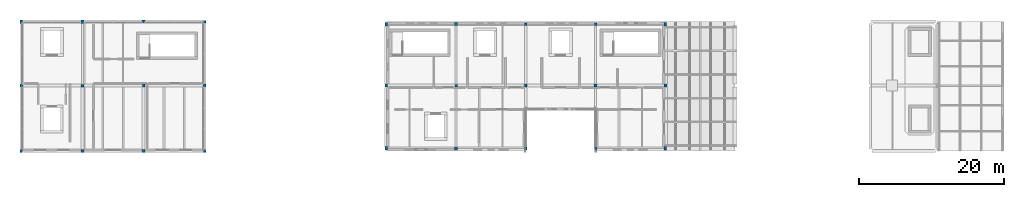
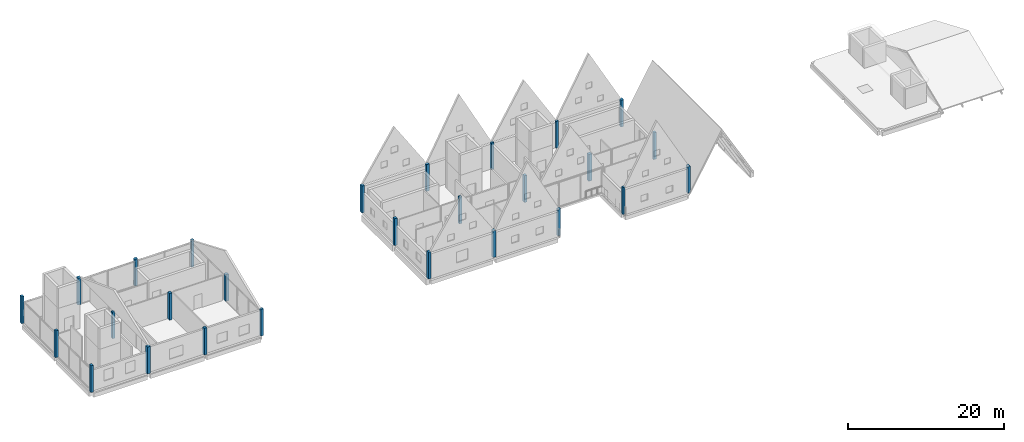
# One storey, part 1 of 13: 27 columns.
"""IFC4 building model written with IfcOpenShell, lengths in metres."""

from ifc_helpers import new_model, si_unit, direction, frame, origin, origin_2d, place, context, subcontext, project, spatial, rectangle, extrude, material, material_profile, profile_set, type_object, element, save


model = new_model("IFC4")

# Units and contexts
model_context = context("Model", 3, precision=1e-05, world=origin(), true_north=direction((0.0, 1.0)))
body_context = subcontext(model_context, "Body", "Model", "MODEL_VIEW")
ifc_project = project(units=[si_unit("LENGTHUNIT", "METRE"), si_unit("AREAUNIT", "SQUARE_METRE"), si_unit("VOLUMEUNIT", "CUBIC_METRE"), si_unit("PLANEANGLEUNIT", "RADIAN"), si_unit("MASSUNIT", "GRAM", prefix="KILO")], contexts=[model_context])

# Site, building, storey
site_placement = place(None, origin())
site = spatial("IfcSite", under=ifc_project, at=site_placement, CompositionType="ELEMENT")
building_placement = place(site_placement, origin())
building = spatial("IfcBuilding", under=site, at=building_placement, Name="Birchvale Park Specialist Clinic", CompositionType="ELEMENT")
storey_placement = place(building_placement, frame((0.0, 0.0, 22.199951171875)))
storey = spatial("IfcBuildingStorey", under=building, at=storey_placement, Name="L05", CompositionType="ELEMENT", Elevation=22.199951171875)

# Columns
ifc_material = material(Name="Concrete C40/50", Category="concrete")
ifc_material_profile_1 = material_profile(ifc_material, rectangle(XDim=0.429931640625, YDim=0.429931640625, at=origin_2d()), Name="RC-430x430")
ifc_profile_set_1 = profile_set([ifc_material_profile_1], Name="Concrete C40/50")
column_type_1 = type_object("IfcColumnType", Name="COL-EXT-C06", PredefinedType="COLUMN", material=ifc_profile_set_1)
for number, where, z_axis, x_axis, name in (
    (1, (71.0, 17.14990234375, 0.0), (0.0, 0.0, 1.0), (1.0, 0.0, 0.0), "V4 L05 column 4"),
    (2, (71.0, 34.25, 0.0), (0.0, 0.0, 1.0), (1.0, 0.0, 0.0), "V4 L05 column 6"),
):
    element("IfcColumn", number, at=place(storey_placement, frame(where, z_axis=z_axis, x_axis=x_axis)), inside=storey, type_object=column_type_1, Name=name, PredefinedType="COLUMN", context=body_context, shape_type="SweptSolid", body=[
        extrude(rectangle(XDim=0.429931640625, YDim=0.429931640625, at=origin_2d()), origin(), (0.0, 0.0, 1.0), 4.199951171875),
    ])
ifc_material_profile_2 = material_profile(ifc_material, rectangle(XDim=0.3798828125, YDim=0.3798828125, at=origin_2d()), Name="RC-380x380")
ifc_profile_set_2 = profile_set([ifc_material_profile_2], Name="Concrete C40/50")
column_type_2 = type_object("IfcColumnType", Name="COL-EXT-C07", PredefinedType="COLUMN", material=ifc_profile_set_2)
for number, where, z_axis, x_axis, name in (
    (3, (80.60009765625, 17.14990234375, 0.0), (0.0, 0.0, 1.0), (1.0, 0.0, 0.0), "V4 L05 column 7"),
    (4, (80.60009765625, 34.25, 0.0), (0.0, 0.0, 1.0), (1.0, 0.0, 0.0), "V4 L05 column 9"),
):
    element("IfcColumn", number, at=place(storey_placement, frame(where, z_axis=z_axis, x_axis=x_axis)), inside=storey, type_object=column_type_2, Name=name, PredefinedType="COLUMN", context=body_context, shape_type="SweptSolid", body=[
        extrude(rectangle(XDim=0.3798828125, YDim=0.3798828125, at=origin_2d()), origin(), (0.0, 0.0, 1.0), 4.199951171875),
    ])
ifc_material_profile_3 = material_profile(ifc_material, rectangle(XDim=0.330078125, YDim=0.330078125, at=origin_2d()), Name="RC-330x330")
ifc_profile_set_3 = profile_set([ifc_material_profile_3], Name="Concrete C40/50")
column_type_3 = type_object("IfcColumnType", Name="COL-EXT-C08", PredefinedType="COLUMN", material=ifc_profile_set_3)
for number, where, z_axis, x_axis, name in (
    (5, (90.199951171875, 17.14990234375, 0.0), (0.0, 0.0, 1.0), (1.0, 0.0, 0.0), "V4 L05 column 10"),
    (6, (90.199951171875, 34.25, 0.0), (0.0, 0.0, 1.0), (1.0, 0.0, 0.0), "V4 L05 column 12"),
):
    element("IfcColumn", number, at=place(storey_placement, frame(where, z_axis=z_axis, x_axis=x_axis)), inside=storey, type_object=column_type_3, Name=name, PredefinedType="COLUMN", context=body_context, shape_type="SweptSolid", body=[
        extrude(rectangle(XDim=0.330078125, YDim=0.330078125, at=origin_2d()), origin(), (0.0, 0.0, 1.0), 4.199951171875),
    ])
ifc_material_profile_4 = material_profile(ifc_material, rectangle(XDim=0.3701171875, YDim=0.47998046875, at=origin_2d()), Name="RC-370x480")
ifc_profile_set_4 = profile_set([ifc_material_profile_4], Name="Concrete C40/50")
column_type_4 = type_object("IfcColumnType", Name="COL-EXT-C12", PredefinedType="COLUMN", material=ifc_profile_set_4)
for number, where, z_axis, x_axis, name in (
    (7, (61.39990234375, 17.14990234375, 0.0), (0.0, 0.0, 1.0), (1.0, 0.0, 0.0), "V4 L05 column 1"),
    (8, (61.39990234375, 34.25, 0.0), (0.0, 0.0, 1.0), (1.0, 0.0, 0.0), "V4 L05 column 3"),
    (9, (99.800048828125, 17.14990234375, 0.0), (0.0, 0.0, 1.0), (1.0, 0.0, 0.0), "V4 L05 column 13"),
    (10, (99.800048828125, 34.25, 0.0), (0.0, 0.0, 1.0), (1.0, 0.0, 0.0), "V4 L05 column 15"),
):
    element("IfcColumn", number, at=place(storey_placement, frame(where, z_axis=z_axis, x_axis=x_axis)), inside=storey, type_object=column_type_4, Name=name, PredefinedType="COLUMN", context=body_context, shape_type="SweptSolid", body=[
        extrude(rectangle(XDim=0.3701171875, YDim=0.47998046875, at=origin_2d()), origin(), (0.0, 0.0, 1.0), 4.199951171875),
    ])
ifc_material_profile_5 = material_profile(ifc_material, rectangle(XDim=0.449951171875, YDim=0.449951171875, at=origin_2d()), Name="RC-450x450")
ifc_profile_set_5 = profile_set([ifc_material_profile_5], Name="Concrete C40/50")
column_type_5 = type_object("IfcColumnType", Name="COL-INT-C06", PredefinedType="COLUMN", material=ifc_profile_set_5)
for number, where, z_axis, x_axis, name in (
    (11, (19.60009765625, 16.800048828125, 0.0), (0.0, 0.0, 1.0), (1.0, 0.0, 0.0), "V2 L05 column 4"),
    (12, (19.60009765625, 34.60009765625, 0.0), (0.0, 0.0, 1.0), (1.0, 0.0, 0.0), "V2 L05 column 6"),
    (13, (36.39990234375, 25.800048828125, 0.0), (0.0, 0.0, 1.0), (1.0, 0.0, 0.0), "V2 L05 column 11"),
    (14, (90.199951171875, 25.800048828125, 0.0), (0.0, 0.0, 1.0), (1.0, 0.0, 0.0), "V4 L05 column 11"),
):
    element("IfcColumn", number, at=place(storey_placement, frame(where, z_axis=z_axis, x_axis=x_axis)), inside=storey, type_object=column_type_5, Name=name, PredefinedType="COLUMN", context=body_context, shape_type="SweptSolid", body=[
        extrude(rectangle(XDim=0.449951171875, YDim=0.449951171875, at=origin_2d()), origin(), (0.0, 0.0, 1.0), 4.199951171875),
    ])
ifc_material_profile_6 = material_profile(ifc_material, rectangle(XDim=0.39990234375, YDim=0.39990234375, at=origin_2d()), Name="RC-400x400")
ifc_profile_set_6 = profile_set([ifc_material_profile_6], Name="Concrete C40/50")
column_type_6 = type_object("IfcColumnType", Name="COL-INT-C07", PredefinedType="COLUMN", material=ifc_profile_set_6)
for number, where, z_axis, x_axis, name in (
    (15, (11.199951171875, 25.800048828125, 0.0), (0.0, 0.0, 1.0), (1.0, 0.0, 0.0), "V2 L05 column 2"),
    (16, (28.0, 16.800048828125, 0.0), (0.0, 0.0, 1.0), (1.0, 0.0, 0.0), "V2 L05 column 7"),
    (17, (28.0, 34.60009765625, 0.0), (0.0, 0.0, 1.0), (1.0, 0.0, 0.0), "V2 L05 column 9"),
    (18, (61.39990234375, 25.800048828125, 0.0), (0.0, 0.0, 1.0), (1.0, 0.0, 0.0), "V4 L05 column 2"),
    (19, (99.800048828125, 25.800048828125, 0.0), (0.0, 0.0, 1.0), (1.0, 0.0, 0.0), "V4 L05 column 14"),
):
    element("IfcColumn", number, at=place(storey_placement, frame(where, z_axis=z_axis, x_axis=x_axis)), inside=storey, type_object=column_type_6, Name=name, PredefinedType="COLUMN", context=body_context, shape_type="SweptSolid", body=[
        extrude(rectangle(XDim=0.39990234375, YDim=0.39990234375, at=origin_2d()), origin(), (0.0, 0.0, 1.0), 4.199951171875),
    ])
ifc_material_profile_7 = material_profile(ifc_material, rectangle(XDim=0.35009765625, YDim=0.35009765625, at=origin_2d()), Name="RC-350x350")
ifc_profile_set_7 = profile_set([ifc_material_profile_7], Name="Concrete C40/50")
column_type_7 = type_object("IfcColumnType", Name="COL-INT-C08", PredefinedType="COLUMN", material=ifc_profile_set_7)
for number, where, z_axis, x_axis, name in (
    (20, (19.60009765625, 25.800048828125, 0.0), (0.0, 0.0, 1.0), (1.0, 0.0, 0.0), "V2 L05 column 5"),
    (21, (36.39990234375, 16.800048828125, 0.0), (0.0, 0.0, 1.0), (1.0, 0.0, 0.0), "V2 L05 column 10"),
    (22, (36.39990234375, 34.60009765625, 0.0), (0.0, 0.0, 1.0), (1.0, 0.0, 0.0), "V2 L05 column 12"),
    (23, (71.0, 25.800048828125, 0.0), (0.0, 0.0, 1.0), (1.0, 0.0, 0.0), "V4 L05 column 5"),
):
    element("IfcColumn", number, at=place(storey_placement, frame(where, z_axis=z_axis, x_axis=x_axis)), inside=storey, type_object=column_type_7, Name=name, PredefinedType="COLUMN", context=body_context, shape_type="SweptSolid", body=[
        extrude(rectangle(XDim=0.35009765625, YDim=0.35009765625, at=origin_2d()), origin(), (0.0, 0.0, 1.0), 4.199951171875),
    ])
ifc_material_profile_8 = material_profile(ifc_material, rectangle(XDim=0.35009765625, YDim=0.449951171875, at=origin_2d()), Name="RC-350x450")
ifc_profile_set_8 = profile_set([ifc_material_profile_8], Name="Concrete C40/50")
column_type_8 = type_object("IfcColumnType", Name="COL-INT-C12", PredefinedType="COLUMN", material=ifc_profile_set_8)
for number, where, z_axis, x_axis, name in (
    (24, (11.199951171875, 16.800048828125, 0.0), (0.0, 0.0, 1.0), (1.0, 0.0, 0.0), "V2 L05 column 1"),
    (25, (11.199951171875, 34.60009765625, 0.0), (0.0, 0.0, 1.0), (1.0, 0.0, 0.0), "V2 L05 column 3"),
    (26, (28.0, 25.800048828125, 0.0), (0.0, 0.0, 1.0), (1.0, 0.0, 0.0), "V2 L05 column 8"),
    (27, (80.60009765625, 25.800048828125, 0.0), (0.0, 0.0, 1.0), (1.0, 0.0, 0.0), "V4 L05 column 8"),
):
    element("IfcColumn", number, at=place(storey_placement, frame(where, z_axis=z_axis, x_axis=x_axis)), inside=storey, type_object=column_type_8, Name=name, PredefinedType="COLUMN", context=body_context, shape_type="SweptSolid", body=[
        extrude(rectangle(XDim=0.35009765625, YDim=0.449951171875, at=origin_2d()), origin(), (0.0, 0.0, 1.0), 4.199951171875),
    ])

save(model, "model.ifc")
